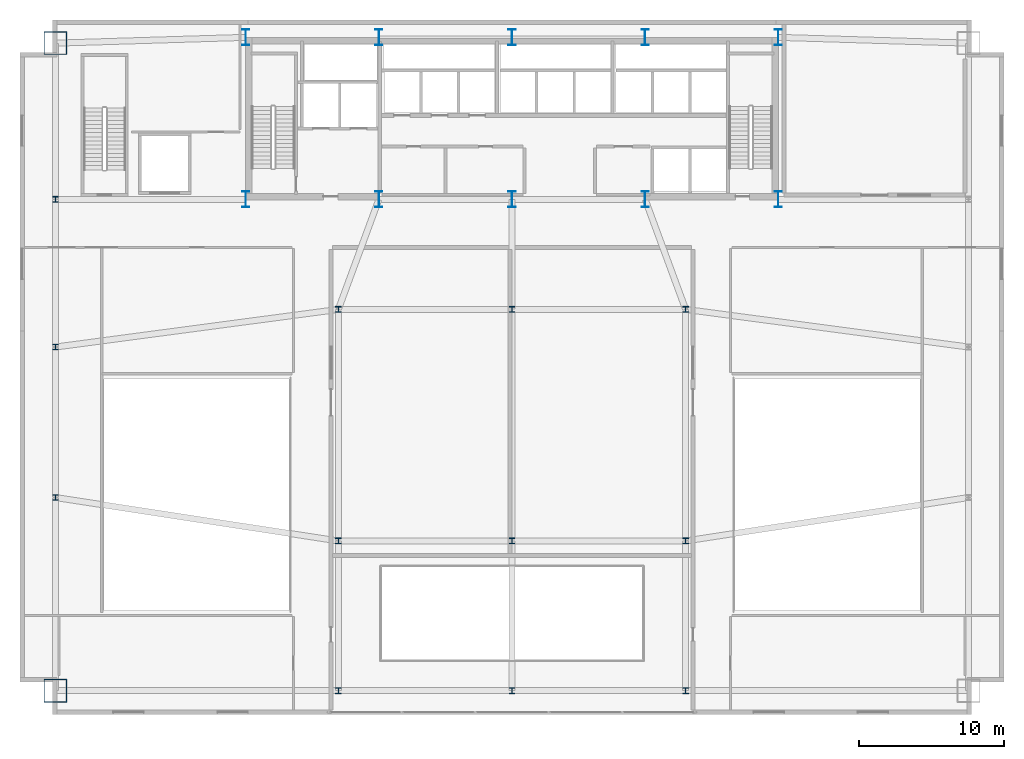
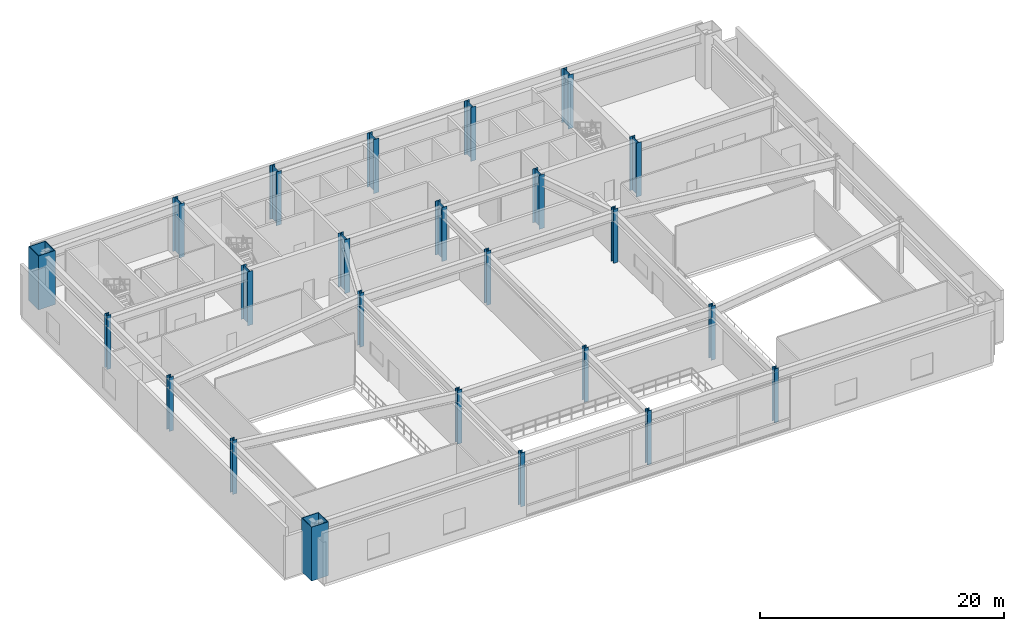
# One storey, part 1 of 13: 24 columns.
"""IFC4 building model written with IfcOpenShell, lengths in metres."""

from ifc_helpers import new_model, si_unit, direction, frame, origin, origin_2d, place, context, subcontext, project, spatial, hollow_rectangle, i_section, extrude, source, transform, mapped, material, material_profile, profile_set, type_object, type_shapes, element, save


model = new_model("IFC4")

# Units and contexts
model_context = context("Model", 3, precision=1e-05, world=origin(), true_north=direction((0.0, 1.0)))
body_context = subcontext(model_context, "Body", "Model", "MODEL_VIEW")
ifc_project = project(units=[si_unit("LENGTHUNIT", "METRE"), si_unit("AREAUNIT", "SQUARE_METRE"), si_unit("VOLUMEUNIT", "CUBIC_METRE"), si_unit("PLANEANGLEUNIT", "RADIAN"), si_unit("MASSUNIT", "GRAM", prefix="KILO")], contexts=[model_context])

# Site, building, storey
site_placement = place(None, origin())
site = spatial("IfcSite", under=ifc_project, at=site_placement, CompositionType="ELEMENT")
building_placement = place(site_placement, origin())
building = spatial("IfcBuilding", under=site, at=building_placement, Name="Varnel Quay Broadcast Tower", CompositionType="ELEMENT")
storey_placement = place(building_placement, frame((0.0, 0.0, 6.0)))
storey = spatial("IfcBuildingStorey", under=building, at=storey_placement, Name="L01", CompositionType="ELEMENT", Elevation=6.0)

# Columns
ifc_material_1 = material(Name="Structural Steel CSA G40.21 350WT", Category="steel")
ifc_material_profile_1 = material_profile(ifc_material_1, i_section(OverallWidth=0.5, OverallDepth=1.10009765625, WebThickness=0.01806640625, FlangeThickness=0.031982421875, FilletRadius=0.01806640625, at=origin_2d()), Name="WWF1100X418")
ifc_profile_set_1 = profile_set([ifc_material_profile_1], Name="Structural Steel CSA G40.21 350WT")
column_type_1 = type_object("IfcColumnType", Name="Col_WWF1100X418", PredefinedType="COLUMN", material=ifc_profile_set_1)
shared_shape_1 = source(origin(), body_context, "Body", "SweptSolid", [
    extrude(i_section(OverallWidth=0.5, OverallDepth=1.10009765625, WebThickness=0.01806640625, FlangeThickness=0.031982421875, FilletRadius=0.01806640625, at=origin_2d()), origin(), (0.0, 0.0, 1.0), 5.39990234375),
])
type_shapes(column_type_1, [shared_shape_1])
for number, where, z_axis, x_axis, name in (
    (1, (15.60009765625, 35.60009765625, 0.0), (0.0, 0.0, 1.0), (1.0, 0.0, 0.0), "L01 Column CC-S1"),
    (2, (15.60009765625, 46.800048828125, 0.0), (0.0, 0.0, 1.0), (1.0, 0.0, 0.0), "L01 Column CC-N1"),
    (3, (24.800048828125, 35.60009765625, 0.0), (0.0, 0.0, 1.0), (1.0, 0.0, 0.0), "L01 Column CC-S2"),
    (4, (24.800048828125, 46.800048828125, 0.0), (0.0, 0.0, 1.0), (1.0, 0.0, 0.0), "L01 Column CC-N2"),
    (5, (34.0, 35.60009765625, 0.0), (0.0, 0.0, 1.0), (1.0, 0.0, 0.0), "L01 Column CC-S3"),
    (6, (34.0, 46.800048828125, 0.0), (0.0, 0.0, 1.0), (1.0, 0.0, 0.0), "L01 Column CC-N3"),
    (7, (43.199951171875, 35.60009765625, 0.0), (0.0, 0.0, 1.0), (1.0, 0.0, 0.0), "L01 Column CC-S4"),
    (8, (43.199951171875, 46.800048828125, 0.0), (0.0, 0.0, 1.0), (1.0, 0.0, 0.0), "L01 Column CC-N4"),
    (9, (52.39990234375, 35.60009765625, 0.0), (0.0, 0.0, 1.0), (1.0, 0.0, 0.0), "L01 Column CC-S5"),
    (10, (52.39990234375, 46.800048828125, 0.0), (0.0, 0.0, 1.0), (1.0, 0.0, 0.0), "L01 Column CC-N5"),
):
    element("IfcColumn", number, at=place(storey_placement, frame(where, z_axis=z_axis, x_axis=x_axis)), inside=storey, type_object=column_type_1, Name=name, PredefinedType="COLUMN", context=body_context, shape_type="MappedRepresentation", body=[
        mapped(shared_shape_1, transform((0.0, 0.0, 0.0), x_axis=(1.0, 0.0, 0.0), y_axis=(0.0, 1.0, 0.0), z_axis=(0.0, 0.0, 1.0), scale=1.0)),
    ])
ifc_material_profile_2 = material_profile(ifc_material_1, hollow_rectangle(XDim=1.60009765625, YDim=1.60009765625, WallThickness=0.06005859375, at=origin_2d()), Name="BOX1600X1600X60")
ifc_profile_set_2 = profile_set([ifc_material_profile_2], Name="Structural Steel CSA G40.21 350WT")
column_type_2 = type_object("IfcColumnType", Name="Col_BOX1600X1600X60", PredefinedType="COLUMN", material=ifc_profile_set_2)
shared_shape_2 = source(origin(), body_context, "Body", "SweptSolid", [
    extrude(hollow_rectangle(XDim=1.60009765625, YDim=1.60009765625, WallThickness=0.06005859375, at=origin_2d()), origin(), (0.0, 0.0, 1.0), 5.39990234375),
])
type_shapes(column_type_2, [shared_shape_2])
for number, where, z_axis, x_axis, name in (
    (11, (2.449951171875, 1.64990234375, 0.0), (0.0, 0.0, 1.0), (1.0, 0.0, 0.0), "L01 Column MC-SW"),
    (12, (2.449951171875, 46.39990234375, 0.0), (0.0, 0.0, 1.0), (1.0, 0.0, 0.0), "L01 Column MC-NW"),
):
    element("IfcColumn", number, at=place(storey_placement, frame(where, z_axis=z_axis, x_axis=x_axis)), inside=storey, type_object=column_type_2, Name=name, PredefinedType="COLUMN", context=body_context, shape_type="MappedRepresentation", body=[
        mapped(shared_shape_2, transform((0.0, 0.0, 0.0), x_axis=(1.0, 0.0, 0.0), y_axis=(0.0, 1.0, 0.0), z_axis=(0.0, 0.0, 1.0), scale=1.0)),
    ])
ifc_material_2 = material(Name="Structural Steel CSA G40.21 350W", Category="steel")
ifc_material_profile_3 = material_profile(ifc_material_2, i_section(OverallWidth=0.404052734375, OverallDepth=0.406982421875, WebThickness=0.027099609375, FlangeThickness=0.043701171875, FilletRadius=0.01806640625, at=origin_2d()), Name="W360X347")
ifc_profile_set_3 = profile_set([ifc_material_profile_3], Name="Structural Steel CSA G40.21 350W")
column_type_3 = type_object("IfcColumnType", Name="Col_W360X347", PredefinedType="COLUMN", material=ifc_profile_set_3)
shared_shape_3 = source(origin(), body_context, "Body", "SweptSolid", [
    extrude(i_section(OverallWidth=0.404052734375, OverallDepth=0.406982421875, WebThickness=0.027099609375, FlangeThickness=0.043701171875, FilletRadius=0.01806640625, at=origin_2d()), origin(), (0.0, 0.0, 1.0), 5.39990234375),
])
type_shapes(column_type_3, [shared_shape_3])
for number, where, z_axis, x_axis, name in (
    (13, (22.0, 1.64990234375, 0.0), (0.0, 0.0, 1.0), (1.0, 0.0, 0.0), "L01 Column PC-01"),
    (14, (34.0, 1.64990234375, 0.0), (0.0, 0.0, 1.0), (1.0, 0.0, 0.0), "L01 Column PC-02"),
    (15, (46.0, 1.64990234375, 0.0), (0.0, 0.0, 1.0), (1.0, 0.0, 0.0), "L01 Column PC-03"),
    (16, (22.0, 12.0, 0.0), (0.0, 0.0, 1.0), (1.0, 0.0, 0.0), "L01 Column PC-04"),
    (17, (34.0, 12.0, 0.0), (0.0, 0.0, 1.0), (1.0, 0.0, 0.0), "L01 Column PC-04B"),
    (18, (46.0, 12.0, 0.0), (0.0, 0.0, 1.0), (1.0, 0.0, 0.0), "L01 Column PC-05"),
    (19, (22.0, 28.0, 0.0), (0.0, 0.0, 1.0), (1.0, 0.0, 0.0), "L01 Column PC-06"),
    (20, (34.0, 28.0, 0.0), (0.0, 0.0, 1.0), (1.0, 0.0, 0.0), "L01 Column PC-07"),
    (21, (46.0, 28.0, 0.0), (0.0, 0.0, 1.0), (1.0, 0.0, 0.0), "L01 Column PC-08"),
    (22, (2.449951171875, 15.0, 0.0), (0.0, 0.0, 1.0), (1.0, 0.0, 0.0), "L01 Column PC-09"),
    (23, (2.449951171875, 25.39990234375, 0.0), (0.0, 0.0, 1.0), (1.0, 0.0, 0.0), "L01 Column PC-10"),
    (24, (2.449951171875, 35.60009765625, 0.0), (0.0, 0.0, 1.0), (1.0, 0.0, 0.0), "L01 Column PC-11"),
):
    element("IfcColumn", number, at=place(storey_placement, frame(where, z_axis=z_axis, x_axis=x_axis)), inside=storey, type_object=column_type_3, Name=name, PredefinedType="COLUMN", context=body_context, shape_type="MappedRepresentation", body=[
        mapped(shared_shape_3, transform((0.0, 0.0, 0.0), x_axis=(1.0, 0.0, 0.0), y_axis=(0.0, 1.0, 0.0), z_axis=(0.0, 0.0, 1.0), scale=1.0)),
    ])

save(model, "model.ifc")
